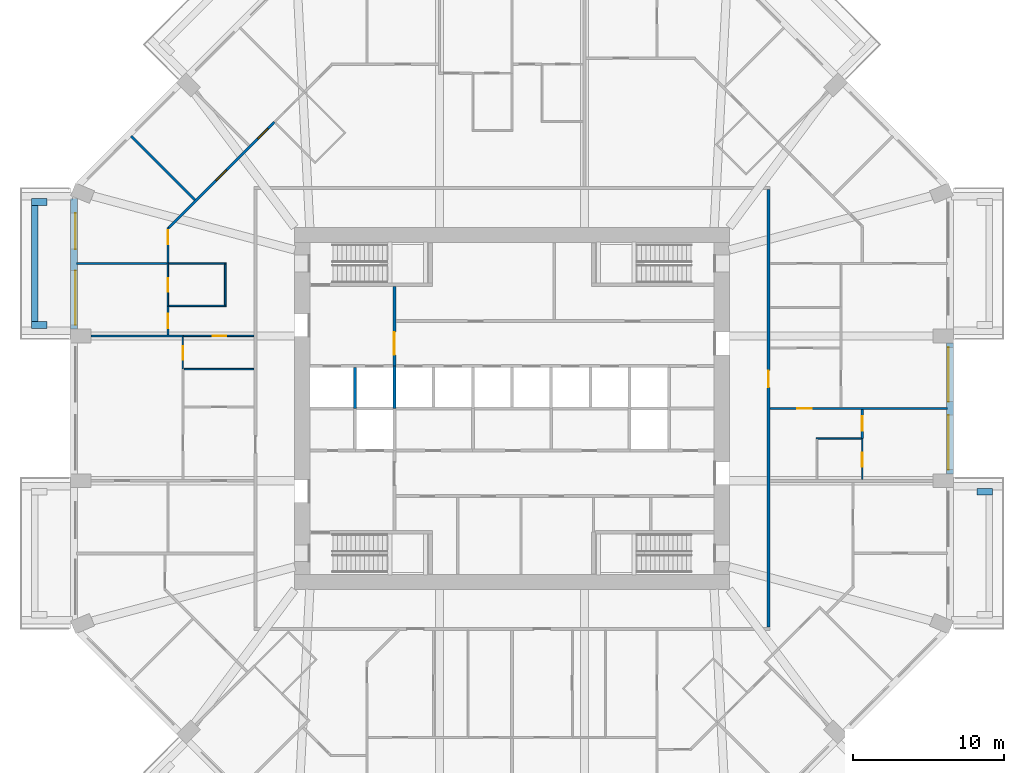
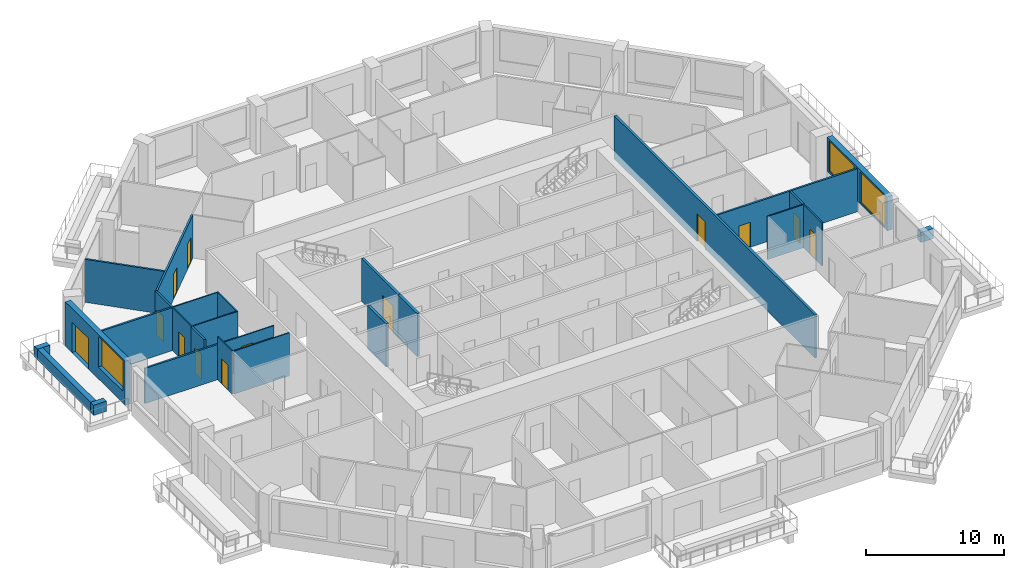
# One storey, part 7 of 13: 27 walls, 13 doors, 3 windows, 16 openings.
"""IFC4 building model written with IfcOpenShell, lengths in metres."""

from ifc_helpers import new_model, si_unit, direction, frame, frame_2d, origin, place, context, subcontext, project, spatial, rectangle, extrude, material, layer, layer_set, type_object, element, fill, save


model = new_model("IFC4")

# Units and contexts
model_context = context("Model", 3, precision=1e-05, world=origin(), true_north=direction((0.0, 1.0)))
body_context = subcontext(model_context, "Body", "Model", "MODEL_VIEW")
ifc_project = project(units=[si_unit("LENGTHUNIT", "METRE"), si_unit("AREAUNIT", "SQUARE_METRE"), si_unit("VOLUMEUNIT", "CUBIC_METRE"), si_unit("PLANEANGLEUNIT", "RADIAN"), si_unit("MASSUNIT", "GRAM", prefix="KILO")], contexts=[model_context])

# Site, building, storey
site_placement = place(None, origin())
site = spatial("IfcSite", under=ifc_project, at=site_placement, CompositionType="ELEMENT")
building_placement = place(site_placement, origin())
building = spatial("IfcBuilding", under=site, at=building_placement, Name="Msitu Wima Residences", CompositionType="ELEMENT")
storey_placement = place(building_placement, frame((0.0, 0.0, 92.699951171875)))
storey = spatial("IfcBuildingStorey", under=building, at=storey_placement, Name="L21", CompositionType="ELEMENT", Elevation=92.699951171875)

# Walls
ifc_material_1 = material(Name="Facing brick")
ifc_layer_1 = layer(ifc_material_1, 0.06494140625, Name="Facing brick")
ifc_material_2 = material(Name="Concrete C40/50", Category="concrete")
ifc_layer_2 = layer(ifc_material_2, 0.156005859375, Name="Concrete C40/50")
ifc_material_3 = material(Name="Waterproofing membrane")
ifc_layer_3 = layer(ifc_material_3, 0.00390625, Name="Waterproofing membrane")
ifc_material_4 = material(Name="Planting soil and planting")
ifc_layer_4 = layer(ifc_material_4, 0.22509765625, Name="Planting soil and planting")
ifc_layer_set_1 = layer_set([ifc_layer_1, ifc_layer_2, ifc_layer_3, ifc_layer_4], Name="Concrete C40/50")
wall_type_1 = type_object("IfcWallType", Name="Balcony planter PLANTER PL450", PredefinedType="USERDEFINED", material=ifc_layer_set_1)
wall_1_placement = place(storey_placement, frame((30.800048828125, -5.52490234375, 0.0), z_axis=(0.0, 0.0, 1.0), x_axis=(1.0, 0.0, 0.0)))
element("IfcWall", 1, at=wall_1_placement, inside=storey, type_object=wall_type_1, Name="Balcony planter E0 L21", ObjectType="PLANTER", PredefinedType="USERDEFINED", context=body_context, shape_type="SweptSolid", body=[
    extrude(rectangle(XDim=1.050048828125, YDim=0.449951171875, at=frame_2d((0.52490234375, 0.0))), origin(), (0.0, 0.0, 1.0), 0.900146484375),
])
wall_2_placement = place(storey_placement, frame((-31.625, 13.449951171875, 0.0), z_axis=(0.0, 0.0, 1.0), x_axis=(0.0, -1.0, 0.0)))
element("IfcWall", 2, at=wall_2_placement, inside=storey, type_object=wall_type_1, Name="Balcony planter W0 L21", ObjectType="PLANTER", PredefinedType="USERDEFINED", context=body_context, shape_type="SweptSolid", body=[
    extrude(rectangle(XDim=7.699951171875, YDim=0.449951171875, at=frame_2d((3.85009765625, 0.0))), origin(), (0.0, 0.0, 1.0), 0.900146484375),
])
for number, where, z_axis, x_axis, name in (
    (3, (-30.800048828125, 13.675048828125, 0.0), (0.0, 0.0, 1.0), (-1.0, 0.0, 0.0), "Balcony planter W0 L21"),
    (4, (-30.800048828125, 5.52490234375, 0.0), (0.0, 0.0, 1.0), (-1.0, 0.0, 0.0), "Balcony planter W0 L21"),
):
    element("IfcWall", number, at=place(storey_placement, frame(where, z_axis=z_axis, x_axis=x_axis)), inside=storey, type_object=wall_type_1, Name=name, ObjectType="PLANTER", PredefinedType="USERDEFINED", context=body_context, shape_type="SweptSolid", body=[
        extrude(rectangle(XDim=1.050048828125, YDim=0.449951171875, at=frame_2d((0.52490234375, 0.0))), origin(), (0.0, 0.0, 1.0), 0.900146484375),
    ])

# Wall, openings, windows
ifc_material_5 = material(Name="Brick (red buff mix)", Category="masonry")
ifc_layer_5 = layer(ifc_material_5, 0.449951171875)
ifc_layer_set_2 = layer_set([ifc_layer_5], Name="Brick (red buff mix)")
wall_type_2 = type_object("IfcWallType", Name="Brick infill wall BW450", PredefinedType="SOLIDWALL", material=ifc_layer_set_2)
wall_3_placement = place(storey_placement, frame((29.02490234375, -4.35009765625, 0.900146484375), z_axis=(0.0, 0.0, 1.0), x_axis=(0.0, 1.0, 0.0)))
wall_3 = element("IfcWall", 5, at=wall_3_placement, inside=storey, type_object=wall_type_2, Name="Brick infill wall L21 E1", PredefinedType="SOLIDWALL", context=body_context, shape_type="SweptSolid", body=[
    extrude(rectangle(XDim=8.7001953125, YDim=0.449951171875, at=frame_2d((4.35009765625, 0.0))), origin(), (0.0, 0.0, 1.0), 3.0),
])
opening_1_placement = place(wall_3_placement, frame((0.300048828125, 0.0, 0.14990234375)))
opening_1 = element("IfcOpeningElement", 6, at=opening_1_placement, cuts=wall_3, Name="Opening W21.002", PredefinedType="OPENING", context=body_context, shape_type="SweptSolid", body=[
    extrude(rectangle(XDim=3.60009765625, YDim=2.699951171875, at=frame_2d((1.800048828125, 1.35009765625))), frame((0.0, 0.23486328125, 0.0), z_axis=(0.0, -1.0, 0.0), x_axis=(1.0, 0.0, 0.0)), (0.0, 0.0, 1.0), 0.469970703125),
])
opening_2_placement = place(wall_3_placement, frame((4.800048828125, 0.0, 0.14990234375)))
opening_2 = element("IfcOpeningElement", 7, at=opening_2_placement, cuts=wall_3, Name="Opening W21.003", PredefinedType="OPENING", context=body_context, shape_type="SweptSolid", body=[
    extrude(rectangle(XDim=3.60009765625, YDim=2.699951171875, at=frame_2d((1.800048828125, 1.35009765625))), frame((0.0, 0.23486328125, 0.0), z_axis=(0.0, -1.0, 0.0), x_axis=(1.0, 0.0, 0.0)), (0.0, 0.0, 1.0), 0.469970703125),
])
ifc_material_6 = material(Name="Anodised aluminium, bronze finish, clear low-emissivity double glazing", Category="aluminium")
window_type = type_object("IfcWindowType", Name="Window W3600x2700", PartitioningType="DOUBLE_PANEL_VERTICAL", PredefinedType="WINDOW", material=ifc_material_6)
window_1_placement = place(opening_1_placement, origin())
window_1 = element("IfcWindow", 8, at=window_1_placement, inside=storey, type_object=window_type, Name="Window L21 E1.1", OverallHeight=2.699951171875, OverallWidth=3.60009765625, PartitioningType="SINGLE_PANEL", PredefinedType="WINDOW", context=body_context, shape_type="SweptSolid", body=[
    extrude(rectangle(XDim=3.60009765625, YDim=2.699951171875, at=frame_2d((1.800048828125, 1.35009765625))), frame((0.0, 0.135009765625, 0.0), z_axis=(0.0, -1.0, 0.0), x_axis=(1.0, 0.0, 0.0)), (0.0, 0.0, 1.0), 0.06005859375),
])
fill(opening_1, window_1)
window_2_placement = place(opening_2_placement, origin())
window_2 = element("IfcWindow", 9, at=window_2_placement, inside=storey, type_object=window_type, Name="Window L21 E1.2", OverallHeight=2.699951171875, OverallWidth=3.60009765625, PartitioningType="SINGLE_PANEL", PredefinedType="WINDOW", context=body_context, shape_type="SweptSolid", body=[
    extrude(rectangle(XDim=3.60009765625, YDim=2.699951171875, at=frame_2d((1.800048828125, 1.35009765625))), frame((0.0, 0.135009765625, 0.0), z_axis=(0.0, -1.0, 0.0), x_axis=(1.0, 0.0, 0.0)), (0.0, 0.0, 1.0), 0.06005859375),
])
fill(opening_2, window_2)

# Wall, openings, door, window
wall_4_placement = place(storey_placement, frame((-29.02490234375, 13.912841796875, 0.0), z_axis=(0.0, 0.0, 1.0), x_axis=(0.0, -1.0, 0.0)))
wall_4 = element("IfcWall", 10, at=wall_4_placement, inside=storey, type_object=wall_type_2, Name="Brick infill wall L21 W0", PredefinedType="SOLIDWALL", context=body_context, shape_type="SweptSolid", body=[
    extrude(rectangle(XDim=8.662841796875, YDim=0.449951171875, at=frame_2d((4.33154296875, 0.0))), origin(), (0.0, 0.0, 1.0), 3.900146484375),
])
opening_3_placement = place(wall_4_placement, frame((0.9658203125, 0.0, 0.0)))
opening_3 = element("IfcOpeningElement", 11, at=opening_3_placement, cuts=wall_4, Name="Opening D21.009", PredefinedType="OPENING", context=body_context, shape_type="SweptSolid", body=[
    extrude(rectangle(XDim=2.39990234375, YDim=2.699951171875, at=frame_2d((1.199951171875, 1.35009765625))), frame((0.0, 0.23486328125, 0.0), z_axis=(0.0, -1.0, 0.0), x_axis=(1.0, 0.0, 0.0)), (0.0, 0.0, 1.0), 0.469970703125),
])
opening_4_placement = place(wall_4_placement, frame((4.781494140625, 0.0, 1.050048828125)))
opening_4 = element("IfcOpeningElement", 12, at=opening_4_placement, cuts=wall_4, Name="Opening W21.027", PredefinedType="OPENING", context=body_context, shape_type="SweptSolid", body=[
    extrude(rectangle(XDim=3.60009765625, YDim=2.699951171875, at=frame_2d((1.800048828125, 1.35009765625))), frame((0.0, 0.23486328125, 0.0), z_axis=(0.0, -1.0, 0.0), x_axis=(1.0, 0.0, 0.0)), (0.0, 0.0, 1.0), 0.469970703125),
])
door_type_1 = type_object("IfcDoorType", Name="Balcony door D2400x2700", OperationType="SLIDING_TO_LEFT", PredefinedType="DOOR", material=ifc_material_6)
door_1_placement = place(opening_3_placement, origin())
door_1 = element("IfcDoor", 13, at=door_1_placement, inside=storey, type_object=door_type_1, Name="Balcony door L21 W0", OperationType="SINGLE_SWING_LEFT", OverallHeight=2.699951171875, OverallWidth=2.39990234375, PredefinedType="DOOR", context=body_context, shape_type="SweptSolid", body=[
    extrude(rectangle(XDim=2.39990234375, YDim=2.699951171875, at=frame_2d((1.199951171875, 1.35009765625))), frame((0.0, 0.1298828125, 0.0), z_axis=(0.0, -1.0, 0.0), x_axis=(1.0, 0.0, 0.0)), (0.0, 0.0, 1.0), 0.050048828125),
])
fill(opening_3, door_1)
window_3_placement = place(opening_4_placement, origin())
window_3 = element("IfcWindow", 14, at=window_3_placement, inside=storey, type_object=window_type, Name="Window L21 W0.2", OverallHeight=2.699951171875, OverallWidth=3.60009765625, PartitioningType="SINGLE_PANEL", PredefinedType="WINDOW", context=body_context, shape_type="SweptSolid", body=[
    extrude(rectangle(XDim=3.60009765625, YDim=2.699951171875, at=frame_2d((1.800048828125, 1.35009765625))), frame((0.0, 0.135009765625, 0.0), z_axis=(0.0, -1.0, 0.0), x_axis=(1.0, 0.0, 0.0)), (0.0, 0.0, 1.0), 0.06005859375),
])
fill(opening_4, window_3)

# Wall, opening, door
ifc_material_7 = material(Name="Plaster")
ifc_layer_6 = layer(ifc_material_7, 0.011962890625, Name="Plaster")
ifc_material_8 = material(Name="Concrete blockwork", Category="masonry")
ifc_layer_7 = layer(ifc_material_8, 0.176025390625, Name="Concrete blockwork")
ifc_layer_8 = layer(ifc_material_7, 0.011962890625, Name="Plaster")
ifc_layer_set_3 = layer_set([ifc_layer_6, ifc_layer_7, ifc_layer_8], Name="Concrete blockwork")
wall_type_3 = type_object("IfcWallType", Name="Corridor wall FW200", PredefinedType="PARTITIONING", material=ifc_layer_set_3)
wall_5_placement = place(storey_placement, frame((-7.800048828125, 2.800048828125, 0.0), z_axis=(0.0, 0.0, 1.0), x_axis=(0.0, 1.0, 0.0)))
wall_5 = element("IfcWall", 15, at=wall_5_placement, inside=storey, type_object=wall_type_3, Name="Corridor wall", PredefinedType="PARTITIONING", context=body_context, shape_type="SweptSolid", body=[
    extrude(rectangle(XDim=5.27490234375, YDim=0.199951171875, at=frame_2d((2.637451171875, 0.0))), origin(), (0.0, 0.0, 1.0), 3.798095703125),
])
opening_5_placement = place(wall_5_placement, frame((0.75, 0.0, 0.0)))
opening_5 = element("IfcOpeningElement", 16, at=opening_5_placement, cuts=wall_5, Name="Opening D21.017", PredefinedType="OPENING", context=body_context, shape_type="SweptSolid", body=[
    extrude(rectangle(XDim=1.5, YDim=2.39990234375, at=frame_2d((0.75, 1.199951171875))), frame((0.0, 0.10986328125, 0.0), z_axis=(0.0, -1.0, 0.0), x_axis=(1.0, 0.0, 0.0)), (0.0, 0.0, 1.0), 0.219970703125),
])
ifc_material_9 = material(Name="Steel framed glazed door, fire resisting", Category="steel")
door_type_2 = type_object("IfcDoorType", Name="Lobby door D07 1500x2400", OperationType="DOUBLE_DOOR_SINGLE_SWING", PredefinedType="DOOR", material=ifc_material_9)
door_2_placement = place(opening_5_placement, origin())
door_2 = element("IfcDoor", 17, at=door_2_placement, inside=storey, type_object=door_type_2, Name="Lobby door", OperationType="DOUBLE_DOOR_SINGLE_SWING", OverallHeight=2.39990234375, OverallWidth=1.5, PredefinedType="DOOR", context=body_context, shape_type="SweptSolid", body=[
    extrude(rectangle(XDim=1.5, YDim=2.39990234375, at=frame_2d((0.75, 1.199951171875))), frame((0.0, 0.02490234375, 0.0), z_axis=(0.0, -1.0, 0.0), x_axis=(1.0, 0.0, 0.0)), (0.0, 0.0, 1.0), 0.050048828125),
])
fill(opening_5, door_2)

wall_6_placement = place(storey_placement, frame((17.0, -14.5, 0.0), z_axis=(0.0, 0.0, 1.0), x_axis=(0.0, 1.0, 0.0)))
wall_6 = element("IfcWall", 18, at=wall_6_placement, inside=storey, type_object=wall_type_3, Name="Corridor wall", PredefinedType="PARTITIONING", context=body_context, shape_type="SweptSolid", body=[
    extrude(rectangle(XDim=29.0, YDim=0.199951171875, at=frame_2d((14.5, 0.0))), origin(), (0.0, 0.0, 1.0), 3.798095703125),
])
opening_6_placement = place(wall_6_placement, frame((15.89990234375, 0.0, 0.0)))
opening_6 = element("IfcOpeningElement", 19, at=opening_6_placement, cuts=wall_6, Name="Opening D21.011", PredefinedType="OPENING", context=body_context, shape_type="SweptSolid", body=[
    extrude(rectangle(XDim=1.10009765625, YDim=2.39990234375, at=frame_2d((0.550048828125, 1.199951171875))), frame((0.0, 0.10986328125, 0.0), z_axis=(0.0, -1.0, 0.0), x_axis=(1.0, 0.0, 0.0)), (0.0, 0.0, 1.0), 0.219970703125),
])
ifc_material_10 = material(Name="Timber flush door, fire resisting, self-closing", Category="wood")
door_type_3 = type_object("IfcDoorType", Name="Flat entrance door D01 1100x2400", OperationType="SINGLE_SWING_LEFT", PredefinedType="DOOR", material=ifc_material_10)
door_3_placement = place(opening_6_placement, origin())
door_3 = element("IfcDoor", 20, at=door_3_placement, inside=storey, type_object=door_type_3, Name="Flat entrance door", OperationType="SINGLE_SWING_RIGHT", OverallHeight=2.39990234375, OverallWidth=1.10009765625, PredefinedType="DOOR", context=body_context, shape_type="SweptSolid", body=[
    extrude(rectangle(XDim=1.10009765625, YDim=2.39990234375, at=frame_2d((0.550048828125, 1.199951171875))), frame((0.0, 0.02490234375, 0.0), z_axis=(0.0, -1.0, 0.0), x_axis=(1.0, 0.0, 0.0)), (0.0, 0.0, 1.0), 0.050048828125),
])
fill(opening_6, door_3)

# Walls
ifc_layer_9 = layer(ifc_material_7, 0.011962890625, Name="Plaster")
ifc_layer_10 = layer(ifc_material_8, 0.1259765625, Name="Concrete blockwork")
ifc_layer_11 = layer(ifc_material_7, 0.011962890625, Name="Plaster")
ifc_layer_set_4 = layer_set([ifc_layer_9, ifc_layer_10, ifc_layer_11], Name="Concrete blockwork")
wall_type_4 = type_object("IfcWallType", Name="Partition PW150", PredefinedType="PARTITIONING", material=ifc_layer_set_4)
wall_7_placement = place(storey_placement, frame((-27.89990234375, 4.800048828125, 0.0), z_axis=(0.0, 0.0, 1.0), x_axis=(1.0, 0.0, 0.0)))
element("IfcWall", 21, at=wall_7_placement, inside=storey, type_object=wall_type_4, Name="Partition", PredefinedType="PARTITIONING", context=body_context, shape_type="SweptSolid", body=[
    extrude(rectangle(XDim=6.119873046875, YDim=0.14990234375, at=frame_2d((3.06005859375, 0.0))), origin(), (0.0, 0.0, 1.0), 3.10009765625),
])
wall_8_placement = place(storey_placement, frame((-28.85498046875, 9.60009765625, 0.0), z_axis=(0.0, 0.0, 1.0), x_axis=(1.0, 0.0, 0.0)))
element("IfcWall", 22, at=wall_8_placement, inside=storey, type_object=wall_type_4, Name="Partition", PredefinedType="PARTITIONING", context=body_context, shape_type="SweptSolid", body=[
    extrude(rectangle(XDim=6.074951171875, YDim=0.14990234375, at=frame_2d((3.03759765625, 0.0))), origin(), (0.0, 0.0, 1.0), 3.798095703125),
])
wall_9_placement = place(storey_placement, frame((-25.23876953125, 18.038818359375, 0.0), z_axis=(0.0, 0.0, 1.0), x_axis=(0.707086367289, -0.707127194494, 0.0)))
element("IfcWall", 23, at=wall_9_placement, inside=storey, type_object=wall_type_4, Name="Partition", PredefinedType="PARTITIONING", context=body_context, shape_type="SweptSolid", body=[
    extrude(rectangle(XDim=5.979736328125, YDim=0.14990234375, at=frame_2d((2.98974609375, 0.0))), origin(), (0.0, 0.0, 1.0), 3.798095703125),
])

# Wall, opening, door
wall_10_placement = place(storey_placement, frame((-22.800048828125, 4.875, 0.0), z_axis=(0.0, 0.0, 1.0), x_axis=(0.0, 1.0, 0.0)))
wall_10 = element("IfcWall", 24, at=wall_10_placement, inside=storey, type_object=wall_type_4, Name="Partition", PredefinedType="PARTITIONING", context=body_context, shape_type="SweptSolid", body=[
    extrude(rectangle(XDim=1.905029296875, YDim=0.14990234375, at=frame_2d((0.95263671875, 0.0))), origin(), (0.0, 0.0, 1.0), 3.798095703125),
])
opening_7_placement = place(wall_10_placement, frame((0.449951171875, 0.0, 0.0)))
opening_7 = element("IfcOpeningElement", 25, at=opening_7_placement, cuts=wall_10, Name="Opening D21.056", PredefinedType="OPENING", context=body_context, shape_type="SweptSolid", body=[
    extrude(rectangle(XDim=0.949951171875, YDim=2.199951171875, at=frame_2d((0.47509765625, 1.10009765625))), frame((0.0, 0.0849609375, 0.0), z_axis=(0.0, -1.0, 0.0), x_axis=(1.0, 0.0, 0.0)), (0.0, 0.0, 1.0), 0.169921875),
])
ifc_material_11 = material(Name="Timber flush door", Category="wood")
door_type_4 = type_object("IfcDoorType", Name="Room door D12 950x2200", OperationType="SINGLE_SWING_LEFT", PredefinedType="DOOR", material=ifc_material_11)
door_4_placement = place(opening_7_placement, origin())
door_4 = element("IfcDoor", 26, at=door_4_placement, inside=storey, type_object=door_type_4, Name="Room door", OperationType="SINGLE_SWING_LEFT", OverallHeight=2.199951171875, OverallWidth=0.949951171875, PredefinedType="DOOR", context=body_context, shape_type="SweptSolid", body=[
    extrude(rectangle(XDim=0.949951171875, YDim=2.199951171875, at=frame_2d((0.47509765625, 1.10009765625))), frame((0.0, 0.02490234375, 0.0), z_axis=(0.0, -1.0, 0.0), x_axis=(1.0, 0.0, 0.0)), (0.0, 0.0, 1.0), 0.050048828125),
])
fill(opening_7, door_4)

wall_11_placement = place(storey_placement, frame((-22.800048828125, 9.6201171875, 0.0), z_axis=(0.0, 0.0, 1.0), x_axis=(0.0, 1.0, 0.0)))
wall_11 = element("IfcWall", 27, at=wall_11_placement, inside=storey, type_object=wall_type_4, Name="Partition", PredefinedType="PARTITIONING", context=body_context, shape_type="SweptSolid", body=[
    extrude(rectangle(XDim=2.36962890625, YDim=0.14990234375, at=frame_2d((1.184814453125, 0.0))), origin(), (0.0, 0.0, 1.0), 3.798095703125),
])
opening_8_placement = place(wall_11_placement, frame((1.25, 0.0, 0.0)))
opening_8 = element("IfcOpeningElement", 28, at=opening_8_placement, cuts=wall_11, Name="Opening D21.064", PredefinedType="OPENING", context=body_context, shape_type="SweptSolid", body=[
    extrude(rectangle(XDim=0.949951171875, YDim=2.199951171875, at=frame_2d((0.47509765625, 1.10009765625))), frame((0.0, 0.0849609375, 0.0), z_axis=(0.0, -1.0, 0.0), x_axis=(1.0, 0.0, 0.0)), (0.0, 0.0, 1.0), 0.169921875),
])
door_5_placement = place(opening_8_placement, origin())
door_5 = element("IfcDoor", 29, at=door_5_placement, inside=storey, type_object=door_type_4, Name="Room door", OperationType="SINGLE_SWING_LEFT", OverallHeight=2.199951171875, OverallWidth=0.949951171875, PredefinedType="DOOR", context=body_context, shape_type="SweptSolid", body=[
    extrude(rectangle(XDim=0.949951171875, YDim=2.199951171875, at=frame_2d((0.47509765625, 1.10009765625))), frame((0.0, 0.02490234375, 0.0), z_axis=(0.0, -1.0, 0.0), x_axis=(1.0, 0.0, 0.0)), (0.0, 0.0, 1.0), 0.050048828125),
])
fill(opening_8, door_5)

# Wall, openings, doors
wall_12_placement = place(storey_placement, frame((-22.7470703125, 11.9677734375, 0.0), z_axis=(0.0, 0.0, 1.0), x_axis=(0.707106781187, 0.707106781187, 0.0)))
wall_12 = element("IfcWall", 30, at=wall_12_placement, inside=storey, type_object=wall_type_4, Name="Partition", PredefinedType="PARTITIONING", context=body_context, shape_type="SweptSolid", body=[
    extrude(rectangle(XDim=9.913330078125, YDim=0.14990234375, at=frame_2d((4.95654296875, 0.0))), origin(), (0.0, 0.0, 1.0), 3.798095703125),
])
opening_9_placement = place(wall_12_placement, frame((4.449951171875, 0.0, 0.0)))
opening_9 = element("IfcOpeningElement", 31, at=opening_9_placement, cuts=wall_12, Name="Opening D21.053", PredefinedType="OPENING", context=body_context, shape_type="SweptSolid", body=[
    extrude(rectangle(XDim=0.949951171875, YDim=2.199951171875, at=frame_2d((0.47509765625, 1.10009765625))), frame((0.0, 0.0849609375, 0.0), z_axis=(0.0, -1.0, 0.0), x_axis=(1.0, 0.0, 0.0)), (0.0, 0.0, 1.0), 0.169921875),
])
opening_10_placement = place(wall_12_placement, frame((8.35009765625, 0.0, 0.0)))
opening_10 = element("IfcOpeningElement", 32, at=opening_10_placement, cuts=wall_12, Name="Opening D21.054", PredefinedType="OPENING", context=body_context, shape_type="SweptSolid", body=[
    extrude(rectangle(XDim=0.949951171875, YDim=2.199951171875, at=frame_2d((0.47509765625, 1.10009765625))), frame((0.0, 0.0849609375, 0.0), z_axis=(0.0, -1.0, 0.0), x_axis=(1.0, 0.0, 0.0)), (0.0, 0.0, 1.0), 0.169921875),
])
door_6_placement = place(opening_9_placement, origin())
door_6 = element("IfcDoor", 33, at=door_6_placement, inside=storey, type_object=door_type_4, Name="Room door", OperationType="SINGLE_SWING_LEFT", OverallHeight=2.199951171875, OverallWidth=0.949951171875, PredefinedType="DOOR", context=body_context, shape_type="SweptSolid", body=[
    extrude(rectangle(XDim=0.949951171875, YDim=2.199951171875, at=frame_2d((0.47509765625, 1.10009765625))), frame((0.0, 0.02490234375, 0.0), z_axis=(0.0, -1.0, 0.0), x_axis=(1.0, 0.0, 0.0)), (0.0, 0.0, 1.0), 0.050048828125),
])
fill(opening_9, door_6)
door_7_placement = place(opening_10_placement, origin())
door_7 = element("IfcDoor", 34, at=door_7_placement, inside=storey, type_object=door_type_4, Name="Room door", OperationType="SINGLE_SWING_LEFT", OverallHeight=2.199951171875, OverallWidth=0.949951171875, PredefinedType="DOOR", context=body_context, shape_type="SweptSolid", body=[
    extrude(rectangle(XDim=0.949951171875, YDim=2.199951171875, at=frame_2d((0.47509765625, 1.10009765625))), frame((0.0, 0.02490234375, 0.0), z_axis=(0.0, -1.0, 0.0), x_axis=(1.0, 0.0, 0.0)), (0.0, 0.0, 1.0), 0.050048828125),
])
fill(opening_10, door_7)

# Wall, opening, door
wall_13_placement = place(storey_placement, frame((17.10009765625, 0.0, 0.0), z_axis=(0.0, 0.0, 1.0), x_axis=(1.0, 0.0, 0.0)))
wall_13 = element("IfcWall", 35, at=wall_13_placement, inside=storey, type_object=wall_type_4, Name="Partition", PredefinedType="PARTITIONING", context=body_context, shape_type="SweptSolid", body=[
    extrude(rectangle(XDim=11.7548828125, YDim=0.14990234375, at=frame_2d((5.87744140625, 0.0))), origin(), (0.0, 0.0, 1.0), 3.798095703125),
])
opening_11_placement = place(wall_13_placement, frame((1.800048828125, 0.0, 0.0)))
opening_11 = element("IfcOpeningElement", 36, at=opening_11_placement, cuts=wall_13, Name="Opening D21.040", PredefinedType="OPENING", context=body_context, shape_type="SweptSolid", body=[
    extrude(rectangle(XDim=0.949951171875, YDim=2.199951171875, at=frame_2d((0.47509765625, 1.10009765625))), frame((0.0, 0.0849609375, 0.0), z_axis=(0.0, -1.0, 0.0), x_axis=(1.0, 0.0, 0.0)), (0.0, 0.0, 1.0), 0.169921875),
])
door_8_placement = place(opening_11_placement, origin())
door_8 = element("IfcDoor", 37, at=door_8_placement, inside=storey, type_object=door_type_4, Name="Room door", OperationType="SINGLE_SWING_RIGHT", OverallHeight=2.199951171875, OverallWidth=0.949951171875, PredefinedType="DOOR", context=body_context, shape_type="SweptSolid", body=[
    extrude(rectangle(XDim=0.949951171875, YDim=2.199951171875, at=frame_2d((0.47509765625, 1.10009765625))), frame((0.0, 0.02490234375, 0.0), z_axis=(0.0, -1.0, 0.0), x_axis=(1.0, 0.0, 0.0)), (0.0, 0.0, 1.0), 0.050048828125),
])
fill(opening_11, door_8)

wall_14_placement = place(storey_placement, frame((23.199951171875, -1.97998046875, 0.0), z_axis=(0.0, 0.0, 1.0), x_axis=(0.0, 1.0, 0.0)))
wall_14 = element("IfcWall", 38, at=wall_14_placement, inside=storey, type_object=wall_type_4, Name="Partition", PredefinedType="PARTITIONING", context=body_context, shape_type="SweptSolid", body=[
    extrude(rectangle(XDim=1.905029296875, YDim=0.14990234375, at=frame_2d((0.95263671875, 0.0))), origin(), (0.0, 0.0, 1.0), 3.798095703125),
])
opening_12_placement = place(wall_14_placement, frame((0.5, 0.0, 0.0)))
opening_12 = element("IfcOpeningElement", 39, at=opening_12_placement, cuts=wall_14, Name="Opening D21.073", PredefinedType="OPENING", context=body_context, shape_type="SweptSolid", body=[
    extrude(rectangle(XDim=0.949951171875, YDim=2.199951171875, at=frame_2d((0.47509765625, 1.10009765625))), frame((0.0, 0.0849609375, 0.0), z_axis=(0.0, -1.0, 0.0), x_axis=(1.0, 0.0, 0.0)), (0.0, 0.0, 1.0), 0.169921875),
])
door_9_placement = place(opening_12_placement, origin())
door_9 = element("IfcDoor", 40, at=door_9_placement, inside=storey, type_object=door_type_4, Name="Room door", OperationType="SINGLE_SWING_LEFT", OverallHeight=2.199951171875, OverallWidth=0.949951171875, PredefinedType="DOOR", context=body_context, shape_type="SweptSolid", body=[
    extrude(rectangle(XDim=0.949951171875, YDim=2.199951171875, at=frame_2d((0.47509765625, 1.10009765625))), frame((0.0, 0.02490234375, 0.0), z_axis=(0.0, -1.0, 0.0), x_axis=(1.0, 0.0, 0.0)), (0.0, 0.0, 1.0), 0.050048828125),
])
fill(opening_12, door_9)

# Walls
ifc_material_12 = material(Name="Fire-rated board")
ifc_layer_12 = layer(ifc_material_12, 0.02490234375, Name="Fire-rated board")
ifc_material_13 = material(Name="Light-gauge stud framing with mineral wool")
ifc_layer_13 = layer(ifc_material_13, 0.14990234375, Name="Light-gauge stud framing with mineral wool")
ifc_layer_14 = layer(ifc_material_12, 0.02490234375, Name="Fire-rated board")
ifc_layer_set_5 = layer_set([ifc_layer_12, ifc_layer_13, ifc_layer_14], Name="Light-gauge stud framing with mineral wool")
wall_type_5 = type_object("IfcWallType", Name="Shaft wall SH200", PredefinedType="PARTITIONING", material=ifc_layer_set_5)
wall_15_placement = place(storey_placement, frame((-10.39990234375, 0.0, 0.0), z_axis=(0.0, 0.0, 1.0), x_axis=(0.0, 1.0, 0.0)))
element("IfcWall", 41, at=wall_15_placement, inside=storey, type_object=wall_type_5, Name="Shaft wall", PredefinedType="PARTITIONING", context=body_context, shape_type="SweptSolid", body=[
    extrude(rectangle(XDim=2.699951171875, YDim=0.199951171875, at=frame_2d((1.35009765625, 0.0))), origin(), (0.0, 0.0, 1.0), 3.798095703125),
])
wall_16_placement = place(storey_placement, frame((-7.800048828125, 0.0, 0.0), z_axis=(0.0, 0.0, 1.0), x_axis=(0.0, 1.0, 0.0)))
element("IfcWall", 42, at=wall_16_placement, inside=storey, type_object=wall_type_5, Name="Shaft wall", PredefinedType="PARTITIONING", context=body_context, shape_type="SweptSolid", body=[
    extrude(rectangle(XDim=2.800048828125, YDim=0.199951171875, at=frame_2d((1.39990234375, 0.0))), origin(), (0.0, 0.0, 1.0), 3.798095703125),
])
ifc_material_14 = material(Name="Ceramic tiles")
ifc_layer_15 = layer(ifc_material_14, 0.008056640625, Name="Ceramic tiles")
ifc_material_15 = material(Name="Moisture-resistant board")
ifc_layer_16 = layer(ifc_material_15, 0.012451171875, Name="Moisture-resistant board")
ifc_layer_17 = layer(ifc_material_13, 0.06689453125, Name="Light-gauge stud framing with mineral wool")
ifc_layer_18 = layer(ifc_material_15, 0.012451171875, Name="Moisture-resistant board")
ifc_layer_set_6 = layer_set([ifc_layer_15, ifc_layer_16, ifc_layer_17, ifc_layer_18], Name="Light-gauge stud framing with mineral wool")
wall_type_6 = type_object("IfcWallType", Name="Wet wall PW100", PredefinedType="PARTITIONING", material=ifc_layer_set_6)
wall_17_placement = place(storey_placement, frame((-22.780029296875, 9.60009765625, 0.0), z_axis=(0.0, 0.0, 1.0), x_axis=(1.0, 0.0, 0.0)))
element("IfcWall", 43, at=wall_17_placement, inside=storey, type_object=wall_type_6, Name="Wet wall", PredefinedType="PARTITIONING", context=body_context, shape_type="SweptSolid", body=[
    extrude(rectangle(XDim=3.830078125, YDim=0.10009765625, at=frame_2d((1.9150390625, 0.0))), origin(), (0.0, 0.0, 1.0), 3.798095703125),
])

# Wall, opening, door
wall_18_placement = place(storey_placement, frame((-22.800048828125, 6.780029296875, 0.0), z_axis=(0.0, 0.0, 1.0), x_axis=(0.0, 1.0, 0.0)))
wall_18 = element("IfcWall", 44, at=wall_18_placement, inside=storey, type_object=wall_type_6, Name="Wet wall", PredefinedType="PARTITIONING", context=body_context, shape_type="SweptSolid", body=[
    extrude(rectangle(XDim=2.840087890625, YDim=0.10009765625, at=frame_2d((1.419921875, 0.0))), origin(), (0.0, 0.0, 1.0), 3.798095703125),
])
opening_13_placement = place(wall_18_placement, frame((0.949951171875, 0.0, 0.0)))
opening_13 = element("IfcOpeningElement", 45, at=opening_13_placement, cuts=wall_18, Name="Opening D21.057", PredefinedType="OPENING", context=body_context, shape_type="SweptSolid", body=[
    extrude(rectangle(XDim=0.89990234375, YDim=2.199951171875, at=frame_2d((0.449951171875, 1.10009765625))), frame((0.0, 0.06005859375, 0.0), z_axis=(0.0, -1.0, 0.0), x_axis=(1.0, 0.0, 0.0)), (0.0, 0.0, 1.0), 0.1201171875),
])
ifc_material_16 = material(Name="Timber flush door, moisture resistant", Category="wood")
door_type_5 = type_object("IfcDoorType", Name="Bathroom door D03 900x2200", OperationType="SINGLE_SWING_LEFT", PredefinedType="DOOR", material=ifc_material_16)
door_10_placement = place(opening_13_placement, origin())
door_10 = element("IfcDoor", 46, at=door_10_placement, inside=storey, type_object=door_type_5, Name="Bathroom door", OperationType="SINGLE_SWING_RIGHT", OverallHeight=2.199951171875, OverallWidth=0.89990234375, PredefinedType="DOOR", context=body_context, shape_type="SweptSolid", body=[
    extrude(rectangle(XDim=0.89990234375, YDim=2.199951171875, at=frame_2d((0.449951171875, 1.10009765625))), frame((0.0, 0.02490234375, 0.0), z_axis=(0.0, -1.0, 0.0), x_axis=(1.0, 0.0, 0.0)), (0.0, 0.0, 1.0), 0.050048828125),
])
fill(opening_13, door_10)

# Wall
wall_19_placement = place(storey_placement, frame((-22.72509765625, 6.800048828125, 0.0), z_axis=(0.0, 0.0, 1.0), x_axis=(1.0, 0.0, 0.0)))
element("IfcWall", 47, at=wall_19_placement, inside=storey, type_object=wall_type_6, Name="Wet wall", PredefinedType="PARTITIONING", context=body_context, shape_type="SweptSolid", body=[
    extrude(rectangle(XDim=3.775146484375, YDim=0.10009765625, at=frame_2d((1.8876953125, 0.0))), origin(), (0.0, 0.0, 1.0), 3.798095703125),
])

# Wall, opening, door
wall_20_placement = place(storey_placement, frame((-21.780029296875, 4.800048828125, 0.0), z_axis=(0.0, 0.0, 1.0), x_axis=(1.0, 0.0, 0.0)))
wall_20 = element("IfcWall", 48, at=wall_20_placement, inside=storey, type_object=wall_type_6, Name="Wet wall", PredefinedType="PARTITIONING", context=body_context, shape_type="SweptSolid", body=[
    extrude(rectangle(XDim=4.679931640625, YDim=0.10009765625, at=frame_2d((2.33984375, 0.0))), origin(), (0.0, 0.0, 1.0), 3.10009765625),
])
opening_14_placement = place(wall_20_placement, frame((1.949951171875, 0.0, 0.0)))
opening_14 = element("IfcOpeningElement", 49, at=opening_14_placement, cuts=wall_20, Name="Opening D21.050", PredefinedType="OPENING", context=body_context, shape_type="SweptSolid", body=[
    extrude(rectangle(XDim=0.89990234375, YDim=2.199951171875, at=frame_2d((0.449951171875, 1.10009765625))), frame((0.0, 0.06005859375, 0.0), z_axis=(0.0, -1.0, 0.0), x_axis=(1.0, 0.0, 0.0)), (0.0, 0.0, 1.0), 0.1201171875),
])
door_11_placement = place(opening_14_placement, origin())
door_11 = element("IfcDoor", 50, at=door_11_placement, inside=storey, type_object=door_type_5, Name="Bathroom door", OperationType="SINGLE_SWING_LEFT", OverallHeight=2.199951171875, OverallWidth=0.89990234375, PredefinedType="DOOR", context=body_context, shape_type="SweptSolid", body=[
    extrude(rectangle(XDim=0.89990234375, YDim=2.199951171875, at=frame_2d((0.449951171875, 1.10009765625))), frame((0.0, 0.02490234375, 0.0), z_axis=(0.0, -1.0, 0.0), x_axis=(1.0, 0.0, 0.0)), (0.0, 0.0, 1.0), 0.050048828125),
])
fill(opening_14, door_11)

wall_21_placement = place(storey_placement, frame((-21.800048828125, 2.6201171875, 0.0), z_axis=(0.0, 0.0, 1.0), x_axis=(0.0, 1.0, 0.0)))
wall_21 = element("IfcWall", 51, at=wall_21_placement, inside=storey, type_object=wall_type_6, Name="Wet wall", PredefinedType="PARTITIONING", context=body_context, shape_type="SweptSolid", body=[
    extrude(rectangle(XDim=2.10498046875, YDim=0.10009765625, at=frame_2d((1.052490234375, 0.0))), origin(), (0.0, 0.0, 1.0), 3.798095703125),
])
opening_15_placement = place(wall_21_placement, frame((0.60009765625, 0.0, 0.0)))
opening_15 = element("IfcOpeningElement", 52, at=opening_15_placement, cuts=wall_21, Name="Opening D21.049", PredefinedType="OPENING", context=body_context, shape_type="SweptSolid", body=[
    extrude(rectangle(XDim=0.89990234375, YDim=2.199951171875, at=frame_2d((0.449951171875, 1.10009765625))), frame((0.0, 0.06005859375, 0.0), z_axis=(0.0, -1.0, 0.0), x_axis=(1.0, 0.0, 0.0)), (0.0, 0.0, 1.0), 0.1201171875),
])
door_12_placement = place(opening_15_placement, origin())
door_12 = element("IfcDoor", 53, at=door_12_placement, inside=storey, type_object=door_type_5, Name="Bathroom door", OperationType="SINGLE_SWING_RIGHT", OverallHeight=2.199951171875, OverallWidth=0.89990234375, PredefinedType="DOOR", context=body_context, shape_type="SweptSolid", body=[
    extrude(rectangle(XDim=0.89990234375, YDim=2.199951171875, at=frame_2d((0.449951171875, 1.10009765625))), frame((0.0, 0.02490234375, 0.0), z_axis=(0.0, -1.0, 0.0), x_axis=(1.0, 0.0, 0.0)), (0.0, 0.0, 1.0), 0.050048828125),
])
fill(opening_15, door_12)

# Walls
wall_22_placement = place(storey_placement, frame((-21.72509765625, 2.60009765625, 0.0), z_axis=(0.0, 0.0, 1.0), x_axis=(1.0, 0.0, 0.0)))
element("IfcWall", 54, at=wall_22_placement, inside=storey, type_object=wall_type_6, Name="Wet wall", PredefinedType="PARTITIONING", context=body_context, shape_type="SweptSolid", body=[
    extrude(rectangle(XDim=4.625, YDim=0.10009765625, at=frame_2d((2.3125, 0.0))), origin(), (0.0, 0.0, 1.0), 3.798095703125),
])
wall_23_placement = place(storey_placement, frame((-19.0, 6.85009765625, 0.0), z_axis=(0.0, 0.0, 1.0), x_axis=(0.0, 1.0, 0.0)))
element("IfcWall", 55, at=wall_23_placement, inside=storey, type_object=wall_type_6, Name="Wet wall", PredefinedType="PARTITIONING", context=body_context, shape_type="SweptSolid", body=[
    extrude(rectangle(XDim=2.699951171875, YDim=0.10009765625, at=frame_2d((1.35009765625, 0.0))), origin(), (0.0, 0.0, 1.0), 3.798095703125),
])
wall_24_placement = place(storey_placement, frame((20.14990234375, -2.0, 0.0), z_axis=(0.0, 0.0, 1.0), x_axis=(1.0, 0.0, 0.0)))
element("IfcWall", 56, at=wall_24_placement, inside=storey, type_object=wall_type_6, Name="Wet wall", PredefinedType="PARTITIONING", context=body_context, shape_type="SweptSolid", body=[
    extrude(rectangle(XDim=3.0, YDim=0.10009765625, at=frame_2d((1.5, 0.0))), origin(), (0.0, 0.0, 1.0), 3.798095703125),
])

# Wall, opening, door
wall_25_placement = place(storey_placement, frame((23.199951171875, -4.699951171875, 0.0), z_axis=(0.0, 0.0, 1.0), x_axis=(0.0, 1.0, 0.0)))
wall_25 = element("IfcWall", 57, at=wall_25_placement, inside=storey, type_object=wall_type_6, Name="Wet wall", PredefinedType="PARTITIONING", context=body_context, shape_type="SweptSolid", body=[
    extrude(rectangle(XDim=2.719970703125, YDim=0.10009765625, at=frame_2d((1.35986328125, 0.0))), origin(), (0.0, 0.0, 1.0), 3.798095703125),
])
opening_16_placement = place(wall_25_placement, frame((0.85009765625, 0.0, 0.0)))
opening_16 = element("IfcOpeningElement", 58, at=opening_16_placement, cuts=wall_25, Name="Opening D21.084", PredefinedType="OPENING", context=body_context, shape_type="SweptSolid", body=[
    extrude(rectangle(XDim=0.89990234375, YDim=2.199951171875, at=frame_2d((0.449951171875, 1.10009765625))), frame((0.0, 0.06005859375, 0.0), z_axis=(0.0, -1.0, 0.0), x_axis=(1.0, 0.0, 0.0)), (0.0, 0.0, 1.0), 0.1201171875),
])
door_13_placement = place(opening_16_placement, origin())
door_13 = element("IfcDoor", 59, at=door_13_placement, inside=storey, type_object=door_type_5, Name="Bathroom door", OperationType="SINGLE_SWING_LEFT", OverallHeight=2.199951171875, OverallWidth=0.89990234375, PredefinedType="DOOR", context=body_context, shape_type="SweptSolid", body=[
    extrude(rectangle(XDim=0.89990234375, YDim=2.199951171875, at=frame_2d((0.449951171875, 1.10009765625))), frame((0.0, 0.02490234375, 0.0), z_axis=(0.0, -1.0, 0.0), x_axis=(1.0, 0.0, 0.0)), (0.0, 0.0, 1.0), 0.050048828125),
])
fill(opening_16, door_13)

save(model, "model.ifc")
